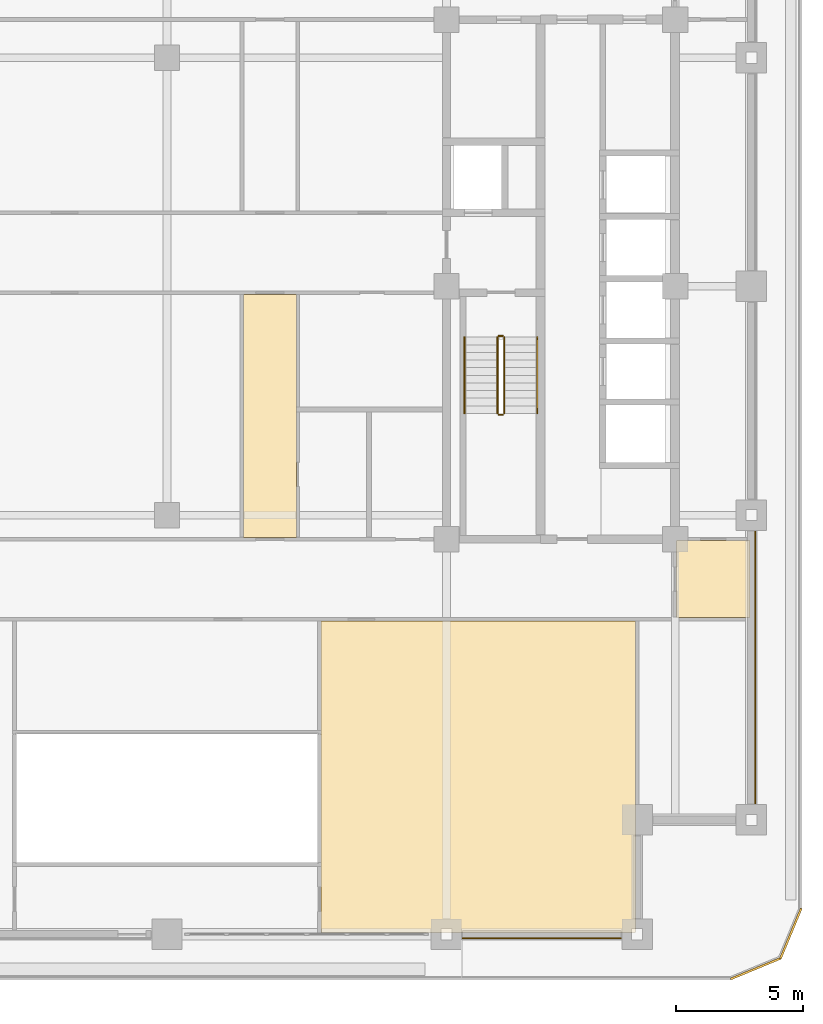
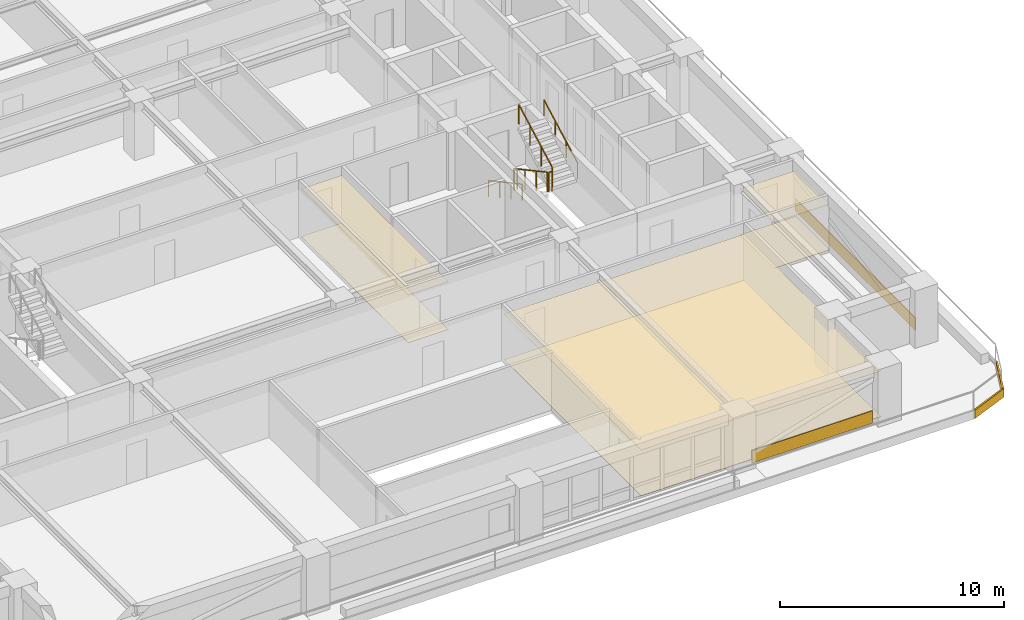
# One storey, part 16 of 17: 10 coverings, 6 railings.
"""IFC4 building model written with IfcOpenShell, lengths in metres."""

from ifc_helpers import new_model, si_unit, direction, frame, frame_2d, origin, origin_2d, place, context, subcontext, project, spatial, polyline, rectangle, outline, extrude, material, layer, layer_set, type_object, element, save


model = new_model("IFC4")

# Units and contexts
model_context = context("Model", 3, precision=1e-05, world=origin(), true_north=direction((0.0, 1.0)))
body_context = subcontext(model_context, "Body", "Model", "MODEL_VIEW")
ifc_project = project(units=[si_unit("LENGTHUNIT", "METRE"), si_unit("AREAUNIT", "SQUARE_METRE"), si_unit("VOLUMEUNIT", "CUBIC_METRE"), si_unit("PLANEANGLEUNIT", "RADIAN"), si_unit("MASSUNIT", "GRAM", prefix="KILO")], contexts=[model_context])

# Site, building, storey
site_placement = place(None, origin())
site = spatial("IfcSite", under=ifc_project, at=site_placement, CompositionType="ELEMENT")
building_placement = place(site_placement, origin())
building = spatial("IfcBuilding", under=site, at=building_placement, Name="Zulmaris Gate Convention Tower", CompositionType="ELEMENT")
storey_placement = place(building_placement, frame((0.0, 0.0, 149.909912109375)))
storey = spatial("IfcBuildingStorey", under=building, at=storey_placement, Name="L38", CompositionType="ELEMENT", Elevation=149.909912109375)

# Coverings
ifc_material_1 = material(Name="Precast concrete C40/50", Category="concrete")
ifc_layer_1 = layer(ifc_material_1, 0.0400390625, Name="Precast concrete C40/50")
ifc_layer_set_1 = layer_set([ifc_layer_1], Name="Precast concrete C40/50")
covering_type_1 = type_object("IfcCoveringType", Name="CLAD-SPANDREL-PRECAST", PredefinedType="CLADDING", material=ifc_layer_set_1)
covering_1_placement = place(storey_placement, frame((11.6298828125, -25.64990234375, 0.0), z_axis=(0.0, 0.0, 1.0), x_axis=(1.0, 0.0, 0.0)))
element("IfcCovering", 1, at=covering_1_placement, inside=storey, type_object=covering_type_1, Name="CLD-L38-S-3_0", PredefinedType="CLADDING", context=body_context, shape_type="SweptSolid", body=[
    extrude(rectangle(XDim=6.240234375, YDim=0.0400390625, at=frame_2d((3.1201171875, 0.0))), origin(), (0.0, 0.0, 1.0), 0.679931640625),
])
covering_2_placement = place(storey_placement, frame((23.14990234375, -20.3701171875, 0.0), z_axis=(0.0, 0.0, 1.0), x_axis=(0.0, 1.0, 0.0)))
element("IfcCovering", 2, at=covering_2_placement, inside=storey, type_object=covering_type_1, Name="CLD-L38-E-0_0", PredefinedType="CLADDING", context=body_context, shape_type="SweptSolid", body=[
    extrude(rectangle(XDim=10.740234375, YDim=0.0400390625, at=frame_2d((5.3701171875, 0.0))), origin(), (0.0, 0.0, 1.0), 0.679931640625),
])
ifc_material_2 = material(Name="White Glazed Architectural Precast Concrete C40/50", Category="concrete")
ifc_layer_2 = layer(ifc_material_2, 0.080078125, Name="White Glazed Architectural Precast Concrete C40/50")
ifc_layer_set_2 = layer_set([ifc_layer_2], Name="White Glazed Architectural Precast Concrete C40/50")
covering_type_2 = type_object("IfcCoveringType", Name="CLAD-TRAY-FASCIA", PredefinedType="CLADDING", material=ifc_layer_set_2)
covering_3_placement = place(storey_placement, frame((22.184814453125, -27.262939453125, -0.2900390625), z_axis=(0.0, 0.0, 1.0), x_axis=(0.923873803533, 0.382697263049, 0.0)))
element("IfcCovering", 3, at=covering_3_placement, inside=storey, type_object=covering_type_2, Name="FSC-L38-TR-03", PredefinedType="CLADDING", context=body_context, shape_type="SweptSolid", body=[
    extrude(rectangle(XDim=2.142822265625, YDim=0.080078125, at=frame_2d((1.0712890625, 0.0))), origin(), (0.0, 0.0, 1.0), 0.4599609375),
])
covering_4_placement = place(storey_placement, frame((24.142822265625, -26.464599609375, -0.2900390625), z_axis=(0.0, 0.0, 1.0), x_axis=(0.382656984709, 0.923890487046, 0.0)))
element("IfcCovering", 4, at=covering_4_placement, inside=storey, type_object=covering_type_2, Name="FSC-L38-TR-04", PredefinedType="CLADDING", context=body_context, shape_type="SweptSolid", body=[
    extrude(rectangle(XDim=2.14306640625, YDim=0.080078125, at=frame_2d((1.071533203125, 0.0))), origin(), (0.0, 0.0, 1.0), 0.4599609375),
])
ifc_material_3 = material(Name="Mineral Fibre Acoustic Ceiling Tile")
ifc_layer_3 = layer(ifc_material_3, 0.02001953125, Name="Mineral Fibre Acoustic Ceiling Tile")
ifc_layer_set_3 = layer_set([ifc_layer_3], Name="Mineral Fibre Acoustic Ceiling Tile")
covering_type_3 = type_object("IfcCoveringType", Name="CLG-ACOUSTIC-600", PredefinedType="CEILING", material=ifc_layer_set_3)
covering_5_placement = place(storey_placement, frame((0.0, 0.0, 2.60302734375)))
element("IfcCovering", 5, at=covering_5_placement, inside=storey, type_object=covering_type_3, Name="CLG-L38-R29", PredefinedType="CEILING", context=body_context, shape_type="SweptSolid", body=[
    extrude(outline(polyline([(3.010009765625, -9.889892578125), (5.090087890625, -9.889892578125), (5.090087890625, -0.31005859375), (3.010009765625, -0.31005859375), (3.010009765625, -9.889892578125)])), origin(), (0.0, 0.0, 1.0), 0.02001953125),
])
covering_6_placement = place(storey_placement, frame((0.0, 0.0, 2.505126953125)))
element("IfcCovering", 6, at=covering_6_placement, inside=storey, type_object=covering_type_3, Name="CLG-L38-R37", PredefinedType="CEILING", context=body_context, shape_type="SweptSolid", body=[
    extrude(outline(polyline([(6.06005859375, -25.43994140625), (18.43994140625, -25.43994140625), (18.43994140625, -13.159912109375), (6.06005859375, -13.159912109375), (6.06005859375, -25.43994140625)])), origin(), (0.0, 0.0, 1.0), 0.02001953125),
])
covering_7_placement = place(storey_placement, frame((0.0, 0.0, 2.505126953125)))
element("IfcCovering", 7, at=covering_7_placement, inside=storey, type_object=covering_type_3, Name="CLG-L38-R49", PredefinedType="CEILING", context=body_context, shape_type="SweptSolid", body=[
    extrude(outline(polyline([(20.06005859375, -13.0400390625), (22.93994140625, -13.0400390625), (22.93994140625, -10.010009765625), (20.06005859375, -10.010009765625), (20.06005859375, -13.0400390625)])), origin(), (0.0, 0.0, 1.0), 0.02001953125),
])
ifc_material_4 = material(Name="Woven Acoustic Wool Carpet Tile")
ifc_layer_4 = layer(ifc_material_4, 0.02001953125, Name="Woven Acoustic Wool Carpet Tile")
ifc_layer_set_4 = layer_set([ifc_layer_4], Name="Woven Acoustic Wool Carpet Tile")
covering_type_4 = type_object("IfcCoveringType", Name="FLR-CARPET-12", PredefinedType="FLOORING", material=ifc_layer_set_4)
covering_8_placement = place(storey_placement, origin())
element("IfcCovering", 8, at=covering_8_placement, inside=storey, type_object=covering_type_4, Name="FLR-L38-R29", PredefinedType="FLOORING", context=body_context, shape_type="SweptSolid", body=[
    extrude(outline(polyline([(3.010009765625, -9.889892578125), (5.090087890625, -9.889892578125), (5.090087890625, -0.31005859375), (3.010009765625, -0.31005859375), (3.010009765625, -9.889892578125)])), origin(), (0.0, 0.0, 1.0), 0.02001953125),
])
covering_9_placement = place(storey_placement, origin())
element("IfcCovering", 9, at=covering_9_placement, inside=storey, type_object=covering_type_4, Name="FLR-L38-R37", PredefinedType="FLOORING", context=body_context, shape_type="SweptSolid", body=[
    extrude(outline(polyline([(6.06005859375, -25.43994140625), (18.43994140625, -25.43994140625), (18.43994140625, -13.159912109375), (6.06005859375, -13.159912109375), (6.06005859375, -25.43994140625)])), origin(), (0.0, 0.0, 1.0), 0.02001953125),
])
covering_10_placement = place(storey_placement, origin())
element("IfcCovering", 10, at=covering_10_placement, inside=storey, type_object=covering_type_4, Name="FLR-L38-R49", PredefinedType="FLOORING", context=body_context, shape_type="SweptSolid", body=[
    extrude(outline(polyline([(20.06005859375, -13.0400390625), (22.93994140625, -13.0400390625), (22.93994140625, -10.010009765625), (20.06005859375, -10.010009765625), (20.06005859375, -13.0400390625)])), origin(), (0.0, 0.0, 1.0), 0.02001953125),
])

# Railings
ifc_material_5 = material(Name="Painted Galvanised Steel", Category="steel")
railing_type_1 = type_object("IfcRailingType", Name="RL-STG-1150", PredefinedType="GUARDRAIL", material=ifc_material_5)
railing_1_placement = place(storey_placement, frame((13.010009765625, -2.0, 0.162353515625)))
element("IfcRailing", 11, at=railing_1_placement, inside=storey, type_object=railing_type_1, Name="L38 ST-2 stair guard 1", PredefinedType="GUARDRAIL", context=body_context, shape_type="SweptSolid", body=[
    extrude(rectangle(XDim=0.048095703125, YDim=0.048095703125, at=origin_2d()), frame((0.0, 0.0, 1.076171875), z_axis=(0.0, -0.8795616155, 0.475784998228), x_axis=(1.0, 0.0, 0.0)), (0.0, 0.0, 1.0), 3.410888671875),
    extrude(rectangle(XDim=0.0419921875, YDim=0.0419921875, at=origin_2d()), origin(), (0.0, 0.0, 1.0), 1.052001953125),
    extrude(rectangle(XDim=0.0419921875, YDim=0.0419921875, at=origin_2d()), frame((0.0, -1.0, 0.541015625)), (0.0, 0.0, 1.0), 1.052001953125),
    extrude(rectangle(XDim=0.0419921875, YDim=0.0419921875, at=origin_2d()), frame((0.0, -2.0, 1.081787109375)), (0.0, 0.0, 1.0), 1.052001953125),
    extrude(rectangle(XDim=0.0419921875, YDim=0.0419921875, at=origin_2d()), frame((0.0, -3.0, 1.622802734375)), (0.0, 0.0, 1.0), 1.052001953125),
])
railing_2_placement = place(storey_placement, frame((13.06005859375, -5.050048828125, 1.78515625)))
element("IfcRailing", 12, at=railing_2_placement, inside=storey, type_object=railing_type_1, Name="L38 ST-2 stair guard 2", PredefinedType="GUARDRAIL", context=body_context, shape_type="SweptSolid", body=[
    extrude(rectangle(XDim=0.048095703125, YDim=0.048095703125, at=origin_2d()), frame((0.0, 0.0, 1.076171875), z_axis=(1.0, 0.0, 0.0), x_axis=(0.0, 1.0, 0.0)), (0.0, 0.0, 1.0), 0.159912109375),
    extrude(rectangle(XDim=0.0419921875, YDim=0.0419921875, at=origin_2d()), origin(), (0.0, 0.0, 1.0), 1.052001953125),
    extrude(rectangle(XDim=0.0419921875, YDim=0.0419921875, at=origin_2d()), frame((0.159912109375, 0.0, 0.0)), (0.0, 0.0, 1.0), 1.052001953125),
])
railing_3_placement = place(storey_placement, frame((13.27001953125, -5.0, 1.947265625)))
element("IfcRailing", 13, at=railing_3_placement, inside=storey, type_object=railing_type_1, Name="L38 ST-2 stair guard 3", PredefinedType="GUARDRAIL", context=body_context, shape_type="SweptSolid", body=[
    extrude(rectangle(XDim=0.048095703125, YDim=0.048095703125, at=origin_2d()), frame((0.0, 0.0, 1.076171875), z_axis=(0.0, 0.8795616155, 0.475784998228), x_axis=(-1.0, 0.0, 0.0)), (0.0, 0.0, 1.0), 3.410888671875),
    extrude(rectangle(XDim=0.0419921875, YDim=0.0419921875, at=origin_2d()), origin(), (0.0, 0.0, 1.0), 1.052001953125),
    extrude(rectangle(XDim=0.0419921875, YDim=0.0419921875, at=origin_2d()), frame((0.0, 1.0, 0.541015625)), (0.0, 0.0, 1.0), 1.052001953125),
    extrude(rectangle(XDim=0.0419921875, YDim=0.0419921875, at=origin_2d()), frame((0.0, 2.0, 1.081787109375)), (0.0, 0.0, 1.0), 1.052001953125),
    extrude(rectangle(XDim=0.0419921875, YDim=0.0419921875, at=origin_2d()), frame((0.0, 3.0, 1.622802734375)), (0.0, 0.0, 1.0), 1.052001953125),
])
railing_4_placement = place(storey_placement, frame((13.06005859375, -1.949951171875, 0.0)))
element("IfcRailing", 14, at=railing_4_placement, inside=storey, type_object=railing_type_1, Name="L38 ST-2 stair guard 4", PredefinedType="GUARDRAIL", context=body_context, shape_type="SweptSolid", body=[
    extrude(rectangle(XDim=0.048095703125, YDim=0.048095703125, at=origin_2d()), frame((0.0, 0.0, 1.076171875), z_axis=(1.0, 0.0, 0.0), x_axis=(0.0, 1.0, 0.0)), (0.0, 0.0, 1.0), 0.159912109375),
    extrude(rectangle(XDim=0.0419921875, YDim=0.0419921875, at=origin_2d()), origin(), (0.0, 0.0, 1.0), 1.052001953125),
    extrude(rectangle(XDim=0.0419921875, YDim=0.0419921875, at=origin_2d()), frame((0.159912109375, 0.0, 0.0)), (0.0, 0.0, 1.0), 1.052001953125),
])
ifc_material_6 = material(Name="Brushed Stainless Steel", Category="steel")
railing_type_2 = type_object("IfcRailingType", Name="RL-STH-900", PredefinedType="HANDRAIL", material=ifc_material_6)
railing_5_placement = place(storey_placement, frame((11.7099609375, -2.0, 0.162353515625)))
element("IfcRailing", 15, at=railing_5_placement, inside=storey, type_object=railing_type_2, Name="L38 ST-2 stair handrail 1", PredefinedType="HANDRAIL", context=body_context, shape_type="SweptSolid", body=[
    extrude(rectangle(XDim=0.048095703125, YDim=0.048095703125, at=origin_2d()), frame((0.0, 0.0, 0.8759765625), z_axis=(0.0, -0.8795616155, 0.475784998228), x_axis=(1.0, 0.0, 0.0)), (0.0, 0.0, 1.0), 3.410888671875),
    extrude(rectangle(XDim=0.0419921875, YDim=0.0419921875, at=origin_2d()), origin(), (0.0, 0.0, 1.0), 0.851806640625),
    extrude(rectangle(XDim=0.0419921875, YDim=0.0419921875, at=origin_2d()), frame((0.0, -1.0, 0.541015625)), (0.0, 0.0, 1.0), 0.851806640625),
    extrude(rectangle(XDim=0.0419921875, YDim=0.0419921875, at=origin_2d()), frame((0.0, -2.0, 1.081787109375)), (0.0, 0.0, 1.0), 0.851806640625),
    extrude(rectangle(XDim=0.0419921875, YDim=0.0419921875, at=origin_2d()), frame((0.0, -3.0, 1.622802734375)), (0.0, 0.0, 1.0), 0.851806640625),
])
railing_6_placement = place(storey_placement, frame((14.570068359375, -5.0, 1.947265625)))
element("IfcRailing", 16, at=railing_6_placement, inside=storey, type_object=railing_type_2, Name="L38 ST-2 stair handrail 2", PredefinedType="HANDRAIL", context=body_context, shape_type="SweptSolid", body=[
    extrude(rectangle(XDim=0.048095703125, YDim=0.048095703125, at=origin_2d()), frame((0.0, 0.0, 0.8759765625), z_axis=(0.0, 0.8795616155, 0.475784998228), x_axis=(-1.0, 0.0, 0.0)), (0.0, 0.0, 1.0), 3.410888671875),
    extrude(rectangle(XDim=0.0419921875, YDim=0.0419921875, at=origin_2d()), origin(), (0.0, 0.0, 1.0), 0.851806640625),
    extrude(rectangle(XDim=0.0419921875, YDim=0.0419921875, at=origin_2d()), frame((0.0, 1.0, 0.541015625)), (0.0, 0.0, 1.0), 0.851806640625),
    extrude(rectangle(XDim=0.0419921875, YDim=0.0419921875, at=origin_2d()), frame((0.0, 2.0, 1.081787109375)), (0.0, 0.0, 1.0), 0.851806640625),
    extrude(rectangle(XDim=0.0419921875, YDim=0.0419921875, at=origin_2d()), frame((0.0, 3.0, 1.622802734375)), (0.0, 0.0, 1.0), 0.851806640625),
])

save(model, "model.ifc")
